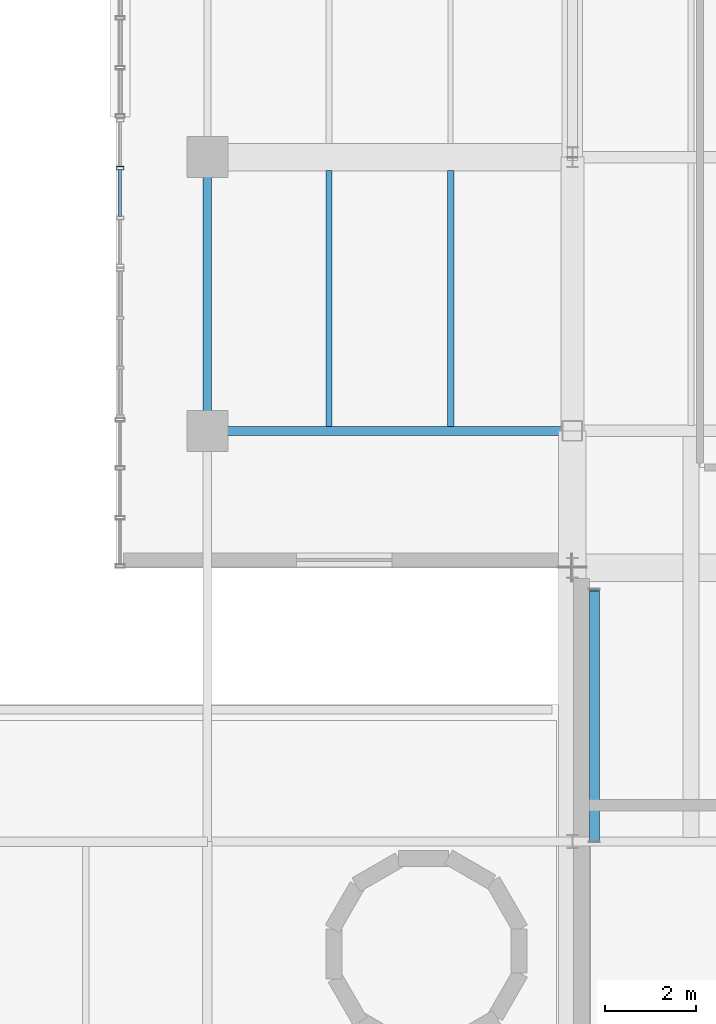
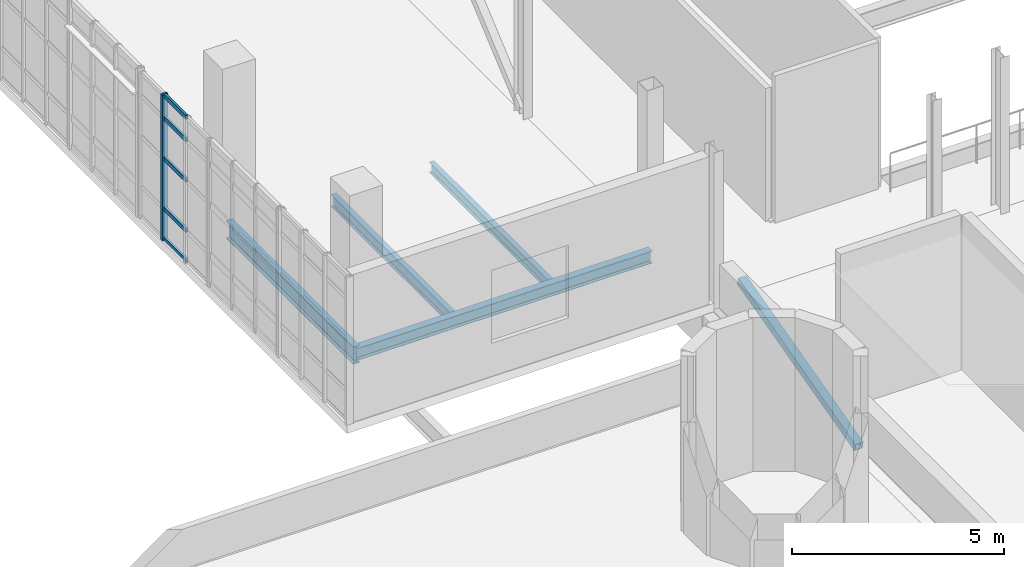
# One storey, part 26 of 85: 7 members, 4 beams, 1 element without a shape of its own.
"""IFC4 building model written with IfcOpenShell, lengths in metres."""

from ifc_helpers import new_model, si_unit, derived_unit, direction, frame, origin, origin_2d, place, context, subcontext, project, spatial, hollow_rectangle, i_section, extrude, material, layer, layer_set, material_profile, profile_set, type_object, element, aggregate, save


model = new_model("IFC4")

# Units and contexts
model_context = context("Model", 3, precision=1e-05, world=origin(), true_north=direction((0.0, 1.0)))
body_context = subcontext(model_context, "Body", "Model", "MODEL_VIEW")
ifc_project = project(units=[si_unit("LENGTHUNIT", "METRE"), si_unit("AREAUNIT", "SQUARE_METRE"), si_unit("VOLUMEUNIT", "CUBIC_METRE"), si_unit("PLANEANGLEUNIT", "RADIAN"), si_unit("MASSUNIT", "GRAM", prefix="KILO"), derived_unit("THERMALTRANSMITTANCEUNIT", [(si_unit("POWERUNIT", "WATT"), 1), (si_unit("LENGTHUNIT", "METRE"), -2), (si_unit("THERMODYNAMICTEMPERATUREUNIT", "KELVIN"), -1)])], contexts=[model_context])

# Site, building, storey
site_placement = place(None, origin())
site = spatial("IfcSite", under=ifc_project, at=site_placement, CompositionType="ELEMENT")
building_placement = place(site_placement, origin())
building = spatial("IfcBuilding", under=site, at=building_placement, Name="Nallur Shell Playhouse", CompositionType="ELEMENT")
storey_placement = place(building_placement, frame((0.0, 0.0, 19.800048828125)))
storey = spatial("IfcBuildingStorey", under=building, at=storey_placement, Name="L05", CompositionType="ELEMENT", Elevation=19.800048828125)

# Beams
ifc_material_1 = material(Name="Steel E250", Category="steel")
ifc_material_profile_1 = material_profile(ifc_material_1, i_section(OverallWidth=0.139892578125, OverallDepth=0.300048828125, WebThickness=0.0078125, FlangeThickness=0.01318359375, FilletRadius=0.013916015625, at=origin_2d()), Name="ISMB 300")
ifc_profile_set_1 = profile_set([ifc_material_profile_1], Name="Steel E250")
beam_type_1 = type_object("IfcBeamType", Name="BM-JST-ISMB300", PredefinedType="JOIST", material=ifc_profile_set_1)
beam_1_placement = place(storey_placement, frame((61.333251953125, 50.097900390625, -0.400146484375), z_axis=(0.0, 1.0, 0.0), x_axis=(-1.0, 0.0, 0.0)))
element("IfcBeam", 1, at=beam_1_placement, inside=storey, type_object=beam_type_1, Name="L05 secondary joist 7-F-1095", PredefinedType="JOIST", context=body_context, shape_type="SweptSolid", body=[
    extrude(i_section(OverallWidth=0.139892578125, OverallDepth=0.300048828125, WebThickness=0.0078125, FlangeThickness=0.01318359375, FilletRadius=0.013916015625, at=origin_2d()), origin(), (0.0, 0.0, 1.0), 5.60400390625),
])
ifc_material_profile_2 = material_profile(ifc_material_1, i_section(OverallWidth=0.139892578125, OverallDepth=0.35009765625, WebThickness=0.008056640625, FlangeThickness=0.01416015625, FilletRadius=0.013916015625, at=origin_2d()), Name="ISMB 350")
ifc_profile_set_2 = profile_set([ifc_material_profile_2], Name="Steel E250")
beam_type_2 = type_object("IfcBeamType", Name="BM-JST-ISMB350", PredefinedType="JOIST", material=ifc_profile_set_2)
beam_2_placement = place(storey_placement, frame((58.666748046875, 50.097900390625, -0.425048828125), z_axis=(0.0, 1.0, 0.0), x_axis=(-1.0, 0.0, 0.0)))
element("IfcBeam", 2, at=beam_2_placement, inside=storey, type_object=beam_type_2, Name="L05 secondary joist 7-F-1094", PredefinedType="JOIST", context=body_context, shape_type="SweptSolid", body=[
    extrude(i_section(OverallWidth=0.139892578125, OverallDepth=0.35009765625, WebThickness=0.008056640625, FlangeThickness=0.01416015625, FilletRadius=0.013916015625, at=origin_2d()), origin(), (0.0, 0.0, 1.0), 5.60400390625),
])
ifc_material_2 = material(Name="Steel E350", Category="steel")
ifc_material_profile_3 = material_profile(ifc_material_2, i_section(OverallWidth=0.179931640625, OverallDepth=0.5, WebThickness=0.01025390625, FlangeThickness=0.01708984375, FilletRadius=0.01708984375, at=origin_2d()), Name="ISMB 500")
ifc_profile_set_3 = profile_set([ifc_material_profile_3], Name="Steel E350")
beam_type_3 = type_object("IfcBeamType", Name="BM-ST-ISMB500", PredefinedType="BEAM", material=ifc_profile_set_3)
beam_3_placement = place(storey_placement, frame((56.0, 50.0, -0.5), z_axis=(0.0, 1.0, 0.0), x_axis=(-1.0, 0.0, 0.0)))
element("IfcBeam", 3, at=beam_3_placement, inside=storey, type_object=beam_type_3, Name="L05 girder Y-7-1018", PredefinedType="BEAM", context=body_context, shape_type="SweptSolid", body=[
    extrude(i_section(OverallWidth=0.179931640625, OverallDepth=0.5, WebThickness=0.01025390625, FlangeThickness=0.01708984375, FilletRadius=0.01708984375, at=origin_2d()), origin(), (0.0, 0.0, 1.0), 6.0),
])
ifc_material_profile_4 = material_profile(ifc_material_2, i_section(OverallWidth=0.199951171875, OverallDepth=0.35009765625, WebThickness=0.008056640625, FlangeThickness=0.011474609375, FilletRadius=0.011962890625, at=origin_2d()), Name="ISWB 350")
ifc_profile_set_4 = profile_set([ifc_material_profile_4], Name="Steel E350")
beam_type_4 = type_object("IfcBeamType", Name="BM-ST-ISWB350", PredefinedType="BEAM", material=ifc_profile_set_4)
beam_4_placement = place(storey_placement, frame((56.0, 50.0, -0.425048828125), z_axis=(1.0, 0.0, 0.0), x_axis=(0.0, 1.0, 0.0)))
element("IfcBeam", 4, at=beam_4_placement, inside=storey, type_object=beam_type_4, Name="L05 girder X-F-966", PredefinedType="BEAM", context=body_context, shape_type="SweptSolid", body=[
    extrude(i_section(OverallWidth=0.199951171875, OverallDepth=0.35009765625, WebThickness=0.008056640625, FlangeThickness=0.011474609375, FilletRadius=0.011962890625, at=origin_2d()), origin(), (0.0, 0.0, 1.0), 8.0),
])

# Curtain wall, members
ifc_material_3 = material(Name="Anodised Aluminium Double-Glazed Facade System", Category="aluminium")
ifc_layer = layer(ifc_material_3, 0.1640625)
ifc_layer_set = layer_set([ifc_layer], Name="Anodised Aluminium Double-Glazed Facade System")
curtain_wall_type = type_object("IfcCurtainWallType", Name="CW-UNIT-07", PredefinedType="NOTDEFINED", material=ifc_layer_set)
curtain_wall_placement = place(storey_placement, origin())
curtain_wall = element("IfcCurtainWall", 5, at=curtain_wall_placement, inside=storey, type_object=curtain_wall_type, Name="Unitised curtain wall CW-167 (L05)", PredefinedType="NOTDEFINED")
ifc_material_4 = material(Name="Aluminium Alloy 6063-T6 Mullion", Category="aluminium")
ifc_material_profile_5 = material_profile(ifc_material_4, hollow_rectangle(XDim=0.080078125, YDim=0.159912109375, WallThickness=0.006103515625, at=origin_2d()), Name="RHS 160x80x6")
ifc_profile_set_5 = profile_set([ifc_material_profile_5], Name="Aluminium Alloy 6063-T6 Mullion")
member_type_1 = type_object("IfcMemberType", Name="MB-CW-MUL150", PredefinedType="MULLION", material=ifc_profile_set_5)
member_1_placement = place(storey_placement, frame((54.090087890625, 55.76025390625, -0.01513671875), z_axis=(0.0, 0.0, 1.0), x_axis=(0.0, 1.0, 0.0)))
member_1 = element("IfcMember", 6, at=member_1_placement, type_object=member_type_1, Name="CW-07 mullion 3", PredefinedType="MULLION", context=body_context, shape_type="SweptSolid", body=[
    extrude(hollow_rectangle(XDim=0.080078125, YDim=0.159912109375, WallThickness=0.006103515625, at=origin_2d()), origin(), (0.0, 0.0, 1.0), 4.208984375),
])
ifc_material_5 = material(Name="Aluminium Alloy 6063-T6 Transom", Category="aluminium")
ifc_material_profile_6 = material_profile(ifc_material_5, hollow_rectangle(XDim=0.06494140625, YDim=0.1201171875, WallThickness=0.00390625, at=origin_2d()), Name="ALU 65x120x4")
ifc_profile_set_6 = profile_set([ifc_material_profile_6], Name="Aluminium Alloy 6063-T6 Transom")
member_type_2 = type_object("IfcMemberType", Name="MB-CW-TRN120", PredefinedType="USERDEFINED", material=ifc_profile_set_6)
member_2_placement = place(storey_placement, frame((54.090087890625, 54.7001953125, 0.032470703125), z_axis=(0.0, 1.0, 0.0), x_axis=(-1.0, 0.0, 0.0)))
member_2 = element("IfcMember", 7, at=member_2_placement, type_object=member_type_2, Name="CW-07 transom 2.1", ObjectType="TRANSOM", PredefinedType="USERDEFINED", context=body_context, shape_type="SweptSolid", body=[
    extrude(hollow_rectangle(XDim=0.06494140625, YDim=0.1201171875, WallThickness=0.00390625, at=origin_2d()), origin(), (0.0, 0.0, 1.0), 1.028076171875),
])
member_3_placement = place(storey_placement, frame((54.090087890625, 54.7001953125, 0.89990234375), z_axis=(0.0, 1.0, 0.0), x_axis=(-1.0, 0.0, 0.0)))
member_3 = element("IfcMember", 8, at=member_3_placement, type_object=member_type_2, Name="CW-07 transom 2.2", ObjectType="TRANSOM", PredefinedType="USERDEFINED", context=body_context, shape_type="SweptSolid", body=[
    extrude(hollow_rectangle(XDim=0.06494140625, YDim=0.1201171875, WallThickness=0.00390625, at=origin_2d()), origin(), (0.0, 0.0, 1.0), 1.028076171875),
])
member_4_placement = place(storey_placement, frame((54.090087890625, 54.7001953125, 2.345947265625), z_axis=(0.0, 1.0, 0.0), x_axis=(-1.0, 0.0, 0.0)))
member_4 = element("IfcMember", 9, at=member_4_placement, type_object=member_type_2, Name="CW-07 transom 2.3", ObjectType="TRANSOM", PredefinedType="USERDEFINED", context=body_context, shape_type="SweptSolid", body=[
    extrude(hollow_rectangle(XDim=0.06494140625, YDim=0.1201171875, WallThickness=0.00390625, at=origin_2d()), origin(), (0.0, 0.0, 1.0), 1.028076171875),
])
member_5_placement = place(storey_placement, frame((54.090087890625, 54.7001953125, 3.510009765625), z_axis=(0.0, 1.0, 0.0), x_axis=(-1.0, 0.0, 0.0)))
member_5 = element("IfcMember", 10, at=member_5_placement, type_object=member_type_2, Name="CW-07 transom 2.4", ObjectType="TRANSOM", PredefinedType="USERDEFINED", context=body_context, shape_type="SweptSolid", body=[
    extrude(hollow_rectangle(XDim=0.06494140625, YDim=0.1201171875, WallThickness=0.00390625, at=origin_2d()), origin(), (0.0, 0.0, 1.0), 1.028076171875),
])
member_6_placement = place(storey_placement, frame((54.090087890625, 54.7001953125, 4.157470703125), z_axis=(0.0, 1.0, 0.0), x_axis=(-1.0, 0.0, 0.0)))
member_6 = element("IfcMember", 11, at=member_6_placement, type_object=member_type_2, Name="CW-07 transom 2.5", ObjectType="TRANSOM", PredefinedType="USERDEFINED", context=body_context, shape_type="SweptSolid", body=[
    extrude(hollow_rectangle(XDim=0.06494140625, YDim=0.1201171875, WallThickness=0.00390625, at=origin_2d()), origin(), (0.0, 0.0, 1.0), 1.028076171875),
])
aggregate(curtain_wall, [member_1, member_2, member_3, member_4, member_5, member_6])

# Member
ifc_material_profile_7 = material_profile(ifc_material_2, hollow_rectangle(XDim=0.219970703125, YDim=0.219970703125, WallThickness=0.011962890625, at=origin_2d()), Name="SHS 220x220x12")
ifc_profile_set_7 = profile_set([ifc_material_profile_7], Name="Steel E350")
member_type_3 = type_object("IfcMemberType", Name="MB-FT-BRACE2", PredefinedType="BRACE", material=ifc_profile_set_7)
member_7_placement = place(storey_placement, frame((64.47998046875, 41.0, -0.650146484375), z_axis=(0.0, 0.967179733798, 0.254093216221), x_axis=(-1.0, 0.0, 0.0)))
element("IfcMember", 12, at=member_7_placement, inside=storey, type_object=member_type_3, Name="Gold box fascia brace L05-2", PredefinedType="BRACE", context=body_context, shape_type="SweptSolid", body=[
    extrude(hollow_rectangle(XDim=0.219970703125, YDim=0.219970703125, WallThickness=0.011962890625, at=origin_2d()), origin(), (0.0, 0.0, 1.0), 5.707275390625),
])

save(model, "model.ifc")
